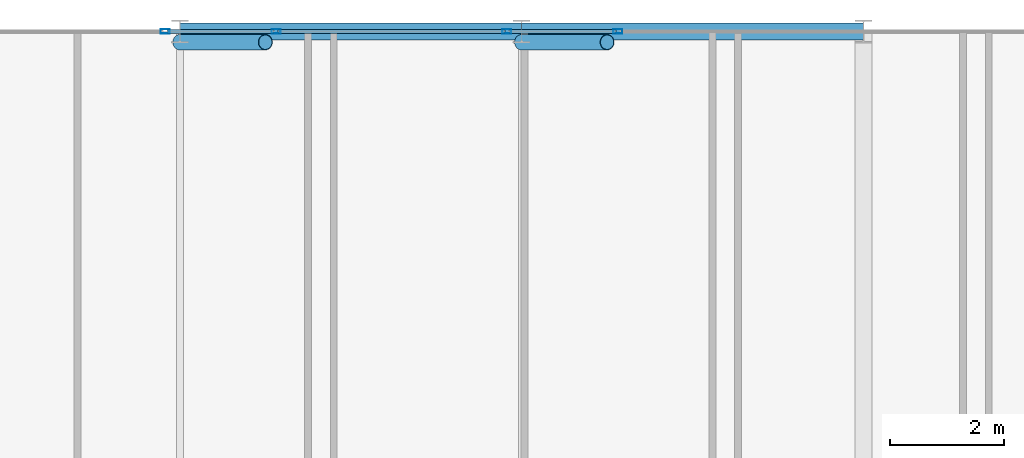
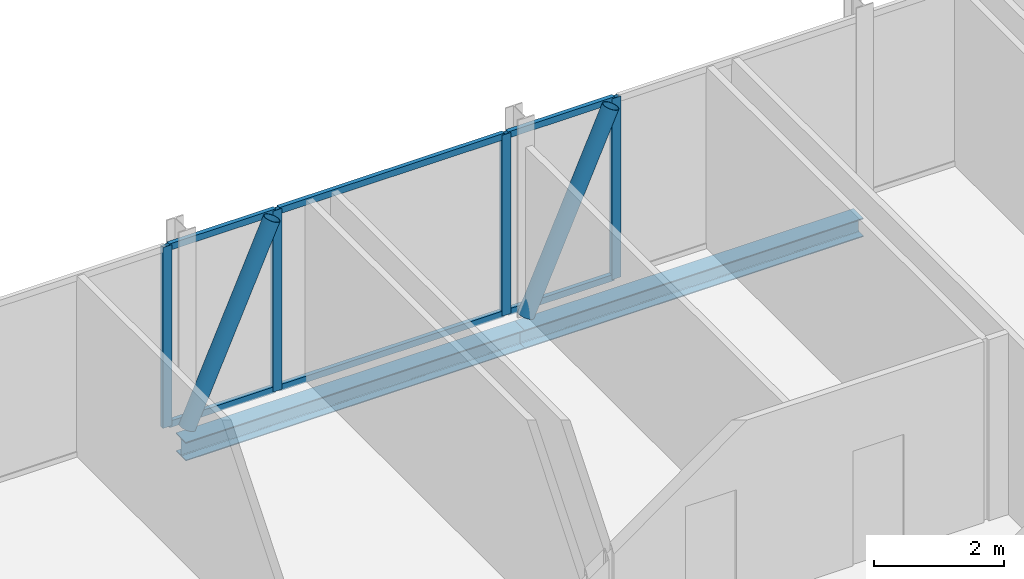
# One storey, part 17 of 27: 12 members, 2 beams, 4 elements without a shape of their own.
"""IFC4 building model written with IfcOpenShell, lengths in metres."""

from ifc_helpers import new_model, si_unit, direction, frame, origin, origin_2d, place, context, subcontext, project, spatial, hollow_rectangle, hollow_circle, i_section, extrude, material, layer, layer_set, material_profile, profile_set, type_object, element, aggregate, save


model = new_model("IFC4")

# Units and contexts
model_context = context("Model", 3, precision=1e-05, world=origin(), true_north=direction((0.0, 1.0)))
body_context = subcontext(model_context, "Body", "Model", "MODEL_VIEW")
ifc_project = project(units=[si_unit("LENGTHUNIT", "METRE"), si_unit("AREAUNIT", "SQUARE_METRE"), si_unit("VOLUMEUNIT", "CUBIC_METRE"), si_unit("PLANEANGLEUNIT", "RADIAN"), si_unit("MASSUNIT", "GRAM", prefix="KILO")], contexts=[model_context])

# Site, building, storey
site_placement = place(None, origin())
site = spatial("IfcSite", under=ifc_project, at=site_placement, CompositionType="ELEMENT")
building_placement = place(site_placement, origin())
building = spatial("IfcBuilding", under=site, at=building_placement, Name="Keshet Zoharim Tower", CompositionType="ELEMENT")
storey_placement = place(building_placement, frame((0.0, 0.0, 284.300048828125)))
storey = spatial("IfcBuildingStorey", under=building, at=storey_placement, Name="L71", CompositionType="ELEMENT", Elevation=284.300048828125)

# Beams
ifc_material_1 = material(Name="Steel S355", Category="steel")
ifc_material_profile_1 = material_profile(ifc_material_1, i_section(OverallWidth=0.300048828125, OverallDepth=0.35009765625, WebThickness=0.010009765625, FlangeThickness=0.017578125, FilletRadius=0.027099609375, at=origin_2d()), Name="HEA360")
ifc_profile_set_1 = profile_set([ifc_material_profile_1], Name="Steel S355")
beam_type = type_object("IfcBeamType", Name="BM-PRI-HA360", PredefinedType="BEAM", material=ifc_profile_set_1)
for number, where, z_axis, x_axis, name in (
    (1, (21.0, 53.89990234375, -0.485107421875), (1.0, 0.0, 0.0), (0.0, 1.0, 0.0), "L71 Primary Girder X-010"),
    (2, (27.0, 53.89990234375, -0.485107421875), (1.0, 0.0, 0.0), (0.0, 1.0, 0.0), "L71 Primary Girder X-011"),
):
    element("IfcBeam", number, at=place(storey_placement, frame(where, z_axis=z_axis, x_axis=x_axis)), inside=storey, type_object=beam_type, Name=name, PredefinedType="BEAM", context=body_context, shape_type="SweptSolid", body=[
        extrude(i_section(OverallWidth=0.300048828125, OverallDepth=0.35009765625, WebThickness=0.010009765625, FlangeThickness=0.017578125, FilletRadius=0.027099609375, at=origin_2d()), origin(), (0.0, 0.0, 1.0), 6.0),
    ])

# Curtain wall, member
ifc_material_2 = material(Name="Aluminium 6063-T6", Category="aluminium")
ifc_layer = layer(ifc_material_2, 0.260009765625)
ifc_layer_set = layer_set([ifc_layer], Name="Aluminium 6063-T6")
curtain_wall_type = type_object("IfcCurtainWallType", Name="CW-SYS-06", PredefinedType="NOTDEFINED", material=ifc_layer_set)
curtain_wall_1_placement = place(storey_placement, origin())
curtain_wall_1 = element("IfcCurtainWall", 3, at=curtain_wall_1_placement, inside=storey, type_object=curtain_wall_type, Name="L71 Unitised Curtain Wall 06", PredefinedType="NOTDEFINED")
ifc_material_profile_2 = material_profile(ifc_material_2, hollow_rectangle(XDim=0.074951171875, YDim=0.159912109375, WallThickness=0.00390625, at=origin_2d()), Name="MUL-75x160")
ifc_profile_set_2 = profile_set([ifc_material_profile_2], Name="Aluminium 6063-T6")
member_type_1 = type_object("IfcMemberType", Name="CWM-M15", PredefinedType="MULLION", material=ifc_profile_set_2)
member_1_placement = place(storey_placement, frame((20.740234375, 53.89990234375, 0.0), z_axis=(0.0, 0.0, 1.0), x_axis=(0.0, 1.0, 0.0)))
member_1 = element("IfcMember", 4, at=member_1_placement, type_object=member_type_1, Name="CW-06 mullion 2", PredefinedType="MULLION", context=body_context, shape_type="SweptSolid", body=[
    extrude(hollow_rectangle(XDim=0.074951171875, YDim=0.159912109375, WallThickness=0.00390625, at=origin_2d()), origin(), (0.0, 0.0, 1.0), 3.389892578125),
])
aggregate(curtain_wall_1, [member_1])

curtain_wall_2_placement = place(storey_placement, origin())
curtain_wall_2 = element("IfcCurtainWall", 5, at=curtain_wall_2_placement, inside=storey, type_object=curtain_wall_type, Name="L71 Unitised Curtain Wall 06 Part 2", PredefinedType="NOTDEFINED")
member_2_placement = place(storey_placement, frame((22.689697265625, 53.89990234375, 0.0), z_axis=(0.0, 0.0, 1.0), x_axis=(0.0, 1.0, 0.0)))
member_2 = element("IfcMember", 6, at=member_2_placement, type_object=member_type_1, Name="CW-06 mullion 2", PredefinedType="MULLION", context=body_context, shape_type="SweptSolid", body=[
    extrude(hollow_rectangle(XDim=0.074951171875, YDim=0.159912109375, WallThickness=0.00390625, at=origin_2d()), origin(), (0.0, 0.0, 1.0), 3.389892578125),
])

curtain_wall_3_placement = place(storey_placement, origin())
curtain_wall_3 = element("IfcCurtainWall", 7, at=curtain_wall_3_placement, inside=storey, type_object=curtain_wall_type, Name="L71 Unitised Curtain Wall 06 Part 3", PredefinedType="NOTDEFINED")
member_3_placement = place(storey_placement, frame((26.740234375, 53.89990234375, 0.0), z_axis=(0.0, 0.0, 1.0), x_axis=(0.0, 1.0, 0.0)))
member_3 = element("IfcMember", 8, at=member_3_placement, type_object=member_type_1, Name="CW-06 mullion 2", PredefinedType="MULLION", context=body_context, shape_type="SweptSolid", body=[
    extrude(hollow_rectangle(XDim=0.074951171875, YDim=0.159912109375, WallThickness=0.00390625, at=origin_2d()), origin(), (0.0, 0.0, 1.0), 3.389892578125),
])

curtain_wall_4_placement = place(storey_placement, origin())
curtain_wall_4 = element("IfcCurtainWall", 9, at=curtain_wall_4_placement, inside=storey, type_object=curtain_wall_type, Name="L71 Unitised Curtain Wall 06 Part 4", PredefinedType="NOTDEFINED")
member_4_placement = place(storey_placement, frame((28.689697265625, 53.89990234375, 0.0), z_axis=(0.0, 0.0, 1.0), x_axis=(0.0, 1.0, 0.0)))
member_4 = element("IfcMember", 10, at=member_4_placement, type_object=member_type_1, Name="CW-06 mullion 2", PredefinedType="MULLION", context=body_context, shape_type="SweptSolid", body=[
    extrude(hollow_rectangle(XDim=0.074951171875, YDim=0.159912109375, WallThickness=0.00390625, at=origin_2d()), origin(), (0.0, 0.0, 1.0), 3.389892578125),
])

# Member
ifc_material_profile_3 = material_profile(ifc_material_2, hollow_rectangle(XDim=0.074951171875, YDim=0.1201171875, WallThickness=0.00390625, at=origin_2d()), Name="TRN-75x120")
ifc_profile_set_3 = profile_set([ifc_material_profile_3], Name="Aluminium 6063-T6")
member_type_2 = type_object("IfcMemberType", Name="CWT-T12", PredefinedType="USERDEFINED", material=ifc_profile_set_3)
member_5_placement = place(storey_placement, frame((20.775146484375, 53.89990234375, 0.034912109375), z_axis=(1.0, 0.0, 0.0), x_axis=(0.0, 1.0, 0.0)))
member_5 = element("IfcMember", 11, at=member_5_placement, type_object=member_type_2, Name="CW-06 transom 1.1", ObjectType="TRANSOM", PredefinedType="USERDEFINED", context=body_context, shape_type="SweptSolid", body=[
    extrude(hollow_rectangle(XDim=0.074951171875, YDim=0.1201171875, WallThickness=0.00390625, at=origin_2d()), origin(), (0.0, 0.0, 1.0), 1.879638671875),
])

member_6_placement = place(storey_placement, frame((20.775146484375, 53.89990234375, 3.35498046875), z_axis=(1.0, 0.0, 0.0), x_axis=(0.0, 1.0, 0.0)))
member_6 = element("IfcMember", 12, at=member_6_placement, type_object=member_type_2, Name="CW-06 transom 1.2", ObjectType="TRANSOM", PredefinedType="USERDEFINED", context=body_context, shape_type="SweptSolid", body=[
    extrude(hollow_rectangle(XDim=0.074951171875, YDim=0.1201171875, WallThickness=0.00390625, at=origin_2d()), origin(), (0.0, 0.0, 1.0), 1.879638671875),
])

aggregate(curtain_wall_2, [member_2, member_5, member_6])

member_7_placement = place(storey_placement, frame((22.724853515625, 53.89990234375, 0.034912109375), z_axis=(1.0, 0.0, 0.0), x_axis=(0.0, 1.0, 0.0)))
member_7 = element("IfcMember", 13, at=member_7_placement, type_object=member_type_2, Name="CW-06 transom 1.1", ObjectType="TRANSOM", PredefinedType="USERDEFINED", context=body_context, shape_type="SweptSolid", body=[
    extrude(hollow_rectangle(XDim=0.074951171875, YDim=0.1201171875, WallThickness=0.00390625, at=origin_2d()), origin(), (0.0, 0.0, 1.0), 3.980224609375),
])

member_8_placement = place(storey_placement, frame((22.724853515625, 53.89990234375, 3.35498046875), z_axis=(1.0, 0.0, 0.0), x_axis=(0.0, 1.0, 0.0)))
member_8 = element("IfcMember", 14, at=member_8_placement, type_object=member_type_2, Name="CW-06 transom 1.2", ObjectType="TRANSOM", PredefinedType="USERDEFINED", context=body_context, shape_type="SweptSolid", body=[
    extrude(hollow_rectangle(XDim=0.074951171875, YDim=0.1201171875, WallThickness=0.00390625, at=origin_2d()), origin(), (0.0, 0.0, 1.0), 3.980224609375),
])

aggregate(curtain_wall_3, [member_3, member_7, member_8])

member_9_placement = place(storey_placement, frame((26.775146484375, 53.89990234375, 0.034912109375), z_axis=(1.0, 0.0, 0.0), x_axis=(0.0, 1.0, 0.0)))
member_9 = element("IfcMember", 15, at=member_9_placement, type_object=member_type_2, Name="CW-06 transom 1.1", ObjectType="TRANSOM", PredefinedType="USERDEFINED", context=body_context, shape_type="SweptSolid", body=[
    extrude(hollow_rectangle(XDim=0.074951171875, YDim=0.1201171875, WallThickness=0.00390625, at=origin_2d()), origin(), (0.0, 0.0, 1.0), 1.879638671875),
])

member_10_placement = place(storey_placement, frame((26.775146484375, 53.89990234375, 3.35498046875), z_axis=(1.0, 0.0, 0.0), x_axis=(0.0, 1.0, 0.0)))
member_10 = element("IfcMember", 16, at=member_10_placement, type_object=member_type_2, Name="CW-06 transom 1.2", ObjectType="TRANSOM", PredefinedType="USERDEFINED", context=body_context, shape_type="SweptSolid", body=[
    extrude(hollow_rectangle(XDim=0.074951171875, YDim=0.1201171875, WallThickness=0.00390625, at=origin_2d()), origin(), (0.0, 0.0, 1.0), 1.879638671875),
])

aggregate(curtain_wall_4, [member_4, member_9, member_10])

# Members
ifc_material_profile_4 = material_profile(ifc_material_1, hollow_circle(Radius=0.136474609375, WallThickness=0.010009765625, at=origin_2d()), Name="CHS273x10")
ifc_profile_set_4 = profile_set([ifc_material_profile_4], Name="Steel S355")
member_type_3 = type_object("IfcMemberType", Name="MB-BR-C273", PredefinedType="BRACE", material=ifc_profile_set_4)
for number, where, z_axis, x_axis, name in (
    (17, (21.0, 53.7099609375, 0.0), (0.40464689807, 0.0, 0.914473011019), (0.0, 1.0, 0.0), "L71 Perimeter Tube Brace 03"),
    (18, (27.0, 53.7099609375, 0.0), (0.40464689807, 0.0, 0.914473011019), (0.0, 1.0, 0.0), "L71 Perimeter Tube Brace 04"),
):
    element("IfcMember", number, at=place(storey_placement, frame(where, z_axis=z_axis, x_axis=x_axis)), inside=storey, type_object=member_type_3, Name=name, PredefinedType="BRACE", context=body_context, shape_type="SweptSolid", body=[
        extrude(hollow_circle(Radius=0.136474609375, WallThickness=0.010009765625, at=origin_2d()), origin(), (0.0, 0.0, 1.0), 3.70703125),
    ])

save(model, "model.ifc")
